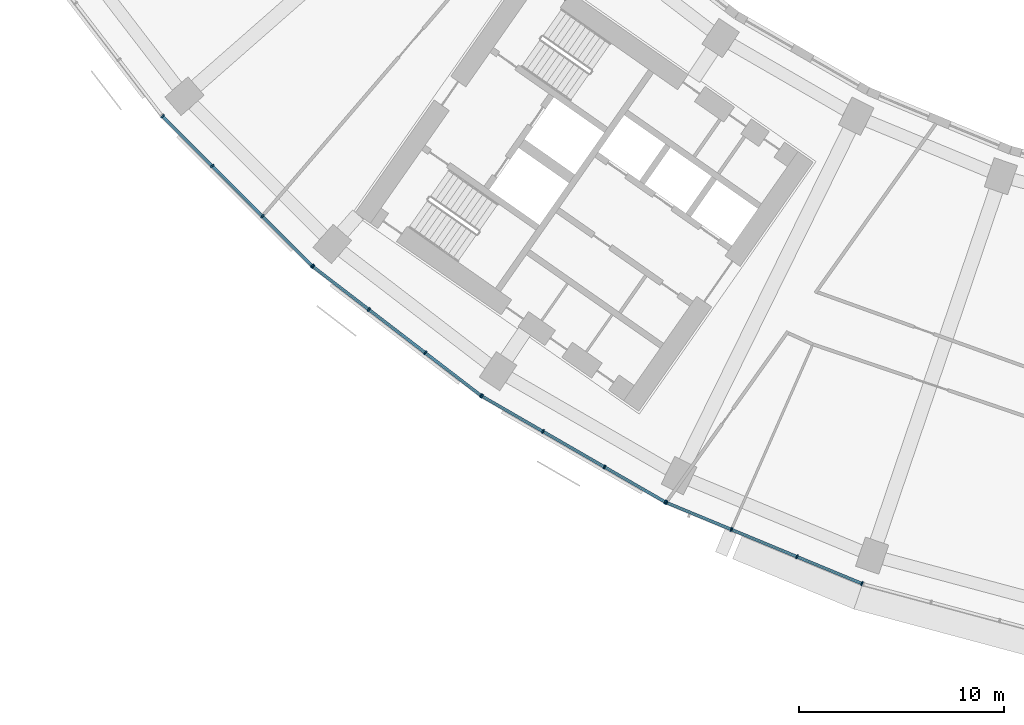
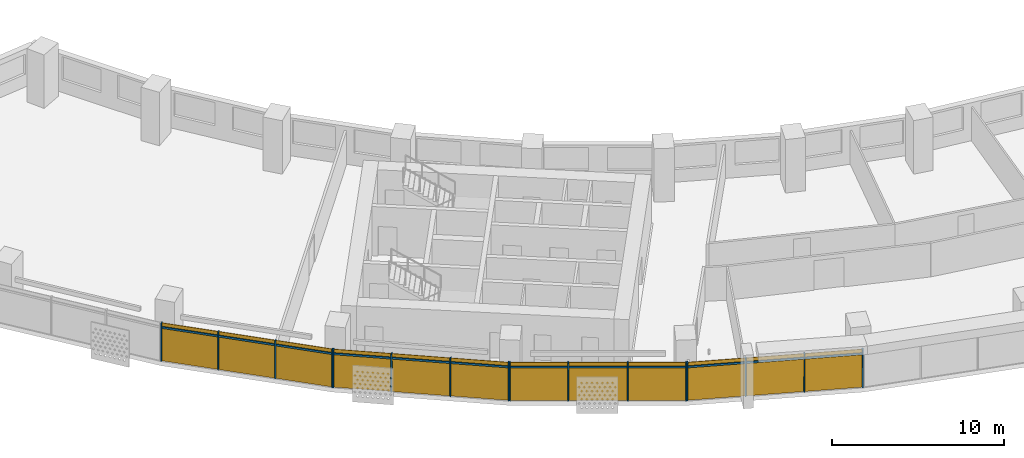
# One storey, part 18 of 29: 28 members, 4 curtain walls.
"""IFC4 building model written with IfcOpenShell, lengths in metres."""

from ifc_helpers import new_model, si_unit, direction, frame, origin, origin_2d, place, context, subcontext, project, spatial, rectangle, extrude, material, material_profile, profile_set, type_object, element, aggregate, save


model = new_model("IFC4")

# Units and contexts
model_context = context("Model", 3, precision=1e-05, world=origin(), true_north=direction((0.0, 1.0)))
body_context = subcontext(model_context, "Body", "Model", "MODEL_VIEW")
ifc_project = project(units=[si_unit("LENGTHUNIT", "METRE"), si_unit("AREAUNIT", "SQUARE_METRE"), si_unit("VOLUMEUNIT", "CUBIC_METRE"), si_unit("PLANEANGLEUNIT", "RADIAN"), si_unit("MASSUNIT", "GRAM", prefix="KILO")], contexts=[model_context])

# Member
ifc_material = material(Name="Aluminium 6063-T6 anodised", Category="aluminium")
ifc_material_profile_1 = material_profile(ifc_material, rectangle(XDim=0.199951171875, YDim=0.070068359375, at=origin_2d()))
ifc_profile_set_1 = profile_set([ifc_material_profile_1], Name="Aluminium 6063-T6 anodised")
member_type_1 = type_object("IfcMemberType", Name="Mullion 70 x 200 aluminium", PredefinedType="MULLION", material=ifc_profile_set_1)
site_placement = place(None, origin())
building_placement = place(site_placement, origin())
storey_placement = place(building_placement, frame((0.0, 0.0, 106.300048828125)))
member_1_placement = place(storey_placement, frame((-59.525390625, -52.240234375, 0.0), z_axis=(0.0, 0.0, 1.0), x_axis=(0.707106781187, 0.707106781187, 0.0)))
member_1 = element("IfcMember", 1, at=member_1_placement, type_object=member_type_1, Name="e-cw1-L23-out03/M00", PredefinedType="MULLION", context=body_context, shape_type="SweptSolid", body=[
    extrude(rectangle(XDim=0.199951171875, YDim=0.070068359375, at=origin_2d()), origin(), (0.0, 0.0, 1.0), 2.699951171875),
])

member_2_placement = place(storey_placement, frame((-57.105224609375, -54.660400390625, 0.0), z_axis=(0.0, 0.0, 1.0), x_axis=(0.707106781187, 0.707106781187, 0.0)))
member_2 = element("IfcMember", 2, at=member_2_placement, type_object=member_type_1, Name="e-cw1-L23-out03/M01", PredefinedType="MULLION", context=body_context, shape_type="SweptSolid", body=[
    extrude(rectangle(XDim=0.199951171875, YDim=0.070068359375, at=origin_2d()), origin(), (0.0, 0.0, 1.0), 2.699951171875),
])

member_3_placement = place(storey_placement, frame((-54.660400390625, -57.105224609375, 0.0), z_axis=(0.0, 0.0, 1.0), x_axis=(0.707106781187, 0.707106781187, 0.0)))
member_3 = element("IfcMember", 3, at=member_3_placement, type_object=member_type_1, Name="e-cw1-L23-out03/M02", PredefinedType="MULLION", context=body_context, shape_type="SweptSolid", body=[
    extrude(rectangle(XDim=0.199951171875, YDim=0.070068359375, at=origin_2d()), origin(), (0.0, 0.0, 1.0), 2.699951171875),
])

member_4_placement = place(storey_placement, frame((-52.240234375, -59.525390625, 0.0), z_axis=(0.0, 0.0, 1.0), x_axis=(0.707106781187, 0.707106781187, 0.0)))
member_4 = element("IfcMember", 4, at=member_4_placement, type_object=member_type_1, Name="e-cw1-L23-out03/M03", PredefinedType="MULLION", context=body_context, shape_type="SweptSolid", body=[
    extrude(rectangle(XDim=0.199951171875, YDim=0.070068359375, at=origin_2d()), origin(), (0.0, 0.0, 1.0), 2.699951171875),
])

member_5_placement = place(storey_placement, frame((-52.197509765625, -59.56298828125, 0.0), z_axis=(0.0, 0.0, 1.0), x_axis=(0.608761429009, 0.793353340291, 0.0)))
member_5 = element("IfcMember", 5, at=member_5_placement, type_object=member_type_1, Name="e-cw1-L23-out04/M00", PredefinedType="MULLION", context=body_context, shape_type="SweptSolid", body=[
    extrude(rectangle(XDim=0.199951171875, YDim=0.070068359375, at=origin_2d()), origin(), (0.0, 0.0, 1.0), 2.699951171875),
])

member_6_placement = place(storey_placement, frame((-49.482177734375, -61.646484375, 0.0), z_axis=(0.0, 0.0, 1.0), x_axis=(0.608761429009, 0.793353340291, 0.0)))
member_6 = element("IfcMember", 6, at=member_6_placement, type_object=member_type_1, Name="e-cw1-L23-out04/M01", PredefinedType="MULLION", context=body_context, shape_type="SweptSolid", body=[
    extrude(rectangle(XDim=0.199951171875, YDim=0.070068359375, at=origin_2d()), origin(), (0.0, 0.0, 1.0), 2.699951171875),
])

member_7_placement = place(storey_placement, frame((-46.739013671875, -63.751220703125, 0.0), z_axis=(0.0, 0.0, 1.0), x_axis=(0.608761429009, 0.793353340291, 0.0)))
member_7 = element("IfcMember", 7, at=member_7_placement, type_object=member_type_1, Name="e-cw1-L23-out04/M02", PredefinedType="MULLION", context=body_context, shape_type="SweptSolid", body=[
    extrude(rectangle(XDim=0.199951171875, YDim=0.070068359375, at=origin_2d()), origin(), (0.0, 0.0, 1.0), 2.699951171875),
])

member_8_placement = place(storey_placement, frame((-44.023681640625, -65.8349609375, 0.0), z_axis=(0.0, 0.0, 1.0), x_axis=(0.608761429009, 0.793353340291, 0.0)))
member_8 = element("IfcMember", 8, at=member_8_placement, type_object=member_type_1, Name="e-cw1-L23-out04/M03", PredefinedType="MULLION", context=body_context, shape_type="SweptSolid", body=[
    extrude(rectangle(XDim=0.199951171875, YDim=0.070068359375, at=origin_2d()), origin(), (0.0, 0.0, 1.0), 2.699951171875),
])

member_9_placement = place(storey_placement, frame((-43.976318359375, -65.866455078125, 0.0), z_axis=(0.0, 0.0, 1.0), x_axis=(0.5, 0.866025403784, 0.0)))
member_9 = element("IfcMember", 9, at=member_9_placement, type_object=member_type_1, Name="e-cw1-L23-out05/M00", PredefinedType="MULLION", context=body_context, shape_type="SweptSolid", body=[
    extrude(rectangle(XDim=0.199951171875, YDim=0.070068359375, at=origin_2d()), origin(), (0.0, 0.0, 1.0), 2.699951171875),
])

member_10_placement = place(storey_placement, frame((-41.01220703125, -67.577880859375, 0.0), z_axis=(0.0, 0.0, 1.0), x_axis=(0.5, 0.866025403784, 0.0)))
member_10 = element("IfcMember", 10, at=member_10_placement, type_object=member_type_1, Name="e-cw1-L23-out05/M01", PredefinedType="MULLION", context=body_context, shape_type="SweptSolid", body=[
    extrude(rectangle(XDim=0.199951171875, YDim=0.070068359375, at=origin_2d()), origin(), (0.0, 0.0, 1.0), 2.699951171875),
])

member_11_placement = place(storey_placement, frame((-38.017822265625, -69.306640625, 0.0), z_axis=(0.0, 0.0, 1.0), x_axis=(0.5, 0.866025403784, 0.0)))
member_11 = element("IfcMember", 11, at=member_11_placement, type_object=member_type_1, Name="e-cw1-L23-out05/M02", PredefinedType="MULLION", context=body_context, shape_type="SweptSolid", body=[
    extrude(rectangle(XDim=0.199951171875, YDim=0.070068359375, at=origin_2d()), origin(), (0.0, 0.0, 1.0), 2.699951171875),
])

member_12_placement = place(storey_placement, frame((-35.0537109375, -71.017822265625, 0.0), z_axis=(0.0, 0.0, 1.0), x_axis=(0.5, 0.866025403784, 0.0)))
member_12 = element("IfcMember", 12, at=member_12_placement, type_object=member_type_1, Name="e-cw1-L23-out05/M03", PredefinedType="MULLION", context=body_context, shape_type="SweptSolid", body=[
    extrude(rectangle(XDim=0.199951171875, YDim=0.070068359375, at=origin_2d()), origin(), (0.0, 0.0, 1.0), 2.699951171875),
])

member_13_placement = place(storey_placement, frame((-35.0029296875, -71.04296875, 0.0), z_axis=(0.0, 0.0, 1.0), x_axis=(0.382683432365, 0.923879532511, 0.0)))
member_13 = element("IfcMember", 13, at=member_13_placement, type_object=member_type_1, Name="e-cw1-L23-out06/M00", PredefinedType="MULLION", context=body_context, shape_type="SweptSolid", body=[
    extrude(rectangle(XDim=0.199951171875, YDim=0.070068359375, at=origin_2d()), origin(), (0.0, 0.0, 1.0), 2.699951171875),
])

member_14_placement = place(storey_placement, frame((-31.8408203125, -72.352783203125, 0.0), z_axis=(0.0, 0.0, 1.0), x_axis=(0.382683432365, 0.923879532511, 0.0)))
member_14 = element("IfcMember", 14, at=member_14_placement, type_object=member_type_1, Name="e-cw1-L23-out06/M01", PredefinedType="MULLION", context=body_context, shape_type="SweptSolid", body=[
    extrude(rectangle(XDim=0.199951171875, YDim=0.070068359375, at=origin_2d()), origin(), (0.0, 0.0, 1.0), 2.699951171875),
])

member_15_placement = place(storey_placement, frame((-28.646240234375, -73.676025390625, 0.0), z_axis=(0.0, 0.0, 1.0), x_axis=(0.382683432365, 0.923879532511, 0.0)))
member_15 = element("IfcMember", 15, at=member_15_placement, type_object=member_type_1, Name="e-cw1-L23-out06/M02", PredefinedType="MULLION", context=body_context, shape_type="SweptSolid", body=[
    extrude(rectangle(XDim=0.199951171875, YDim=0.070068359375, at=origin_2d()), origin(), (0.0, 0.0, 1.0), 2.699951171875),
])

member_16_placement = place(storey_placement, frame((-25.484130859375, -74.98583984375, 0.0), z_axis=(0.0, 0.0, 1.0), x_axis=(0.382683432365, 0.923879532511, 0.0)))
member_16 = element("IfcMember", 16, at=member_16_placement, type_object=member_type_1, Name="e-cw1-L23-out06/M03", PredefinedType="MULLION", context=body_context, shape_type="SweptSolid", body=[
    extrude(rectangle(XDim=0.199951171875, YDim=0.070068359375, at=origin_2d()), origin(), (0.0, 0.0, 1.0), 2.699951171875),
])

ifc_material_profile_2 = material_profile(ifc_material, rectangle(XDim=0.139892578125, YDim=0.1201171875, at=origin_2d()))
ifc_profile_set_2 = profile_set([ifc_material_profile_2], Name="Aluminium 6063-T6 anodised")
member_type_2 = type_object("IfcMemberType", Name="Transom 120 x 140 aluminium", PredefinedType="USERDEFINED", material=ifc_profile_set_2)
member_17_placement = place(storey_placement, frame((-59.500732421875, -52.264892578125, 2.39990234375), z_axis=(0.707106781187, -0.707106781187, 0.0), x_axis=(0.707106781187, 0.707106781187, 0.0)))
member_17 = element("IfcMember", 17, at=member_17_placement, type_object=member_type_2, Name="e-cw1-L23-out03/T00", ObjectType="TRANSOM", PredefinedType="USERDEFINED", context=body_context, shape_type="SweptSolid", body=[
    extrude(rectangle(XDim=0.139892578125, YDim=0.1201171875, at=origin_2d()), origin(), (0.0, 0.0, 1.0), 3.3525390625),
])

member_18_placement = place(storey_placement, frame((-57.08056640625, -54.68505859375, 2.39990234375), z_axis=(0.707106781187, -0.707106781187, 0.0), x_axis=(0.707106781187, 0.707106781187, 0.0)))
member_18 = element("IfcMember", 18, at=member_18_placement, type_object=member_type_2, Name="e-cw1-L23-out03/T01", ObjectType="TRANSOM", PredefinedType="USERDEFINED", context=body_context, shape_type="SweptSolid", body=[
    extrude(rectangle(XDim=0.139892578125, YDim=0.1201171875, at=origin_2d()), origin(), (0.0, 0.0, 1.0), 3.3876953125),
])

member_19_placement = place(storey_placement, frame((-54.635498046875, -57.130126953125, 2.39990234375), z_axis=(0.707106781187, -0.707106781187, 0.0), x_axis=(0.707106781187, 0.707106781187, 0.0)))
member_19 = element("IfcMember", 19, at=member_19_placement, type_object=member_type_2, Name="e-cw1-L23-out03/T02", ObjectType="TRANSOM", PredefinedType="USERDEFINED", context=body_context, shape_type="SweptSolid", body=[
    extrude(rectangle(XDim=0.139892578125, YDim=0.1201171875, at=origin_2d()), origin(), (0.0, 0.0, 1.0), 3.3525390625),
])

member_20_placement = place(storey_placement, frame((-52.169677734375, -59.584228515625, 2.39990234375), z_axis=(0.793354308621, -0.608760167055, 0.0), x_axis=(0.608760167055, 0.793354308621, 0.0)))
member_20 = element("IfcMember", 20, at=member_20_placement, type_object=member_type_2, Name="e-cw1-L23-out04/T00", ObjectType="TRANSOM", PredefinedType="USERDEFINED", context=body_context, shape_type="SweptSolid", body=[
    extrude(rectangle(XDim=0.139892578125, YDim=0.1201171875, at=origin_2d()), origin(), (0.0, 0.0, 1.0), 3.352783203125),
])

member_21_placement = place(storey_placement, frame((-49.454345703125, -61.667724609375, 2.39990234375), z_axis=(0.793344133173, -0.608773427772, 0.0), x_axis=(0.608773427772, 0.793344133173, 0.0)))
member_21 = element("IfcMember", 21, at=member_21_placement, type_object=member_type_2, Name="e-cw1-L23-out04/T01", ObjectType="TRANSOM", PredefinedType="USERDEFINED", context=body_context, shape_type="SweptSolid", body=[
    extrude(rectangle(XDim=0.139892578125, YDim=0.1201171875, at=origin_2d()), origin(), (0.0, 0.0, 1.0), 3.387451171875),
])

member_22_placement = place(storey_placement, frame((-46.711181640625, -63.772705078125, 2.39990234375), z_axis=(0.793389477316, -0.608714331426, 0.0), x_axis=(0.608714331426, 0.793389477316, 0.0)))
member_22 = element("IfcMember", 22, at=member_22_placement, type_object=member_type_2, Name="e-cw1-L23-out04/T02", ObjectType="TRANSOM", PredefinedType="USERDEFINED", context=body_context, shape_type="SweptSolid", body=[
    extrude(rectangle(XDim=0.139892578125, YDim=0.1201171875, at=origin_2d()), origin(), (0.0, 0.0, 1.0), 3.3525390625),
])

member_23_placement = place(storey_placement, frame((-43.946044921875, -65.884033203125, 2.39990234375), z_axis=(0.866020654818, -0.50000822536, 0.0), x_axis=(0.50000822536, 0.866020654818, 0.0)))
member_23 = element("IfcMember", 23, at=member_23_placement, type_object=member_type_2, Name="e-cw1-L23-out05/T00", ObjectType="TRANSOM", PredefinedType="USERDEFINED", context=body_context, shape_type="SweptSolid", body=[
    extrude(rectangle(XDim=0.139892578125, YDim=0.1201171875, at=origin_2d()), origin(), (0.0, 0.0, 1.0), 3.3525390625),
])

member_24_placement = place(storey_placement, frame((-40.98193359375, -67.59521484375, 2.39990234375), z_axis=(0.866025971257, -0.499999017107, 0.0), x_axis=(0.499999017107, 0.866025971257, 0.0)))
member_24 = element("IfcMember", 24, at=member_24_placement, type_object=member_type_2, Name="e-cw1-L23-out05/T01", ObjectType="TRANSOM", PredefinedType="USERDEFINED", context=body_context, shape_type="SweptSolid", body=[
    extrude(rectangle(XDim=0.139892578125, YDim=0.1201171875, at=origin_2d()), origin(), (0.0, 0.0, 1.0), 3.3876953125),
])

member_25_placement = place(storey_placement, frame((-37.987548828125, -69.323974609375, 2.39990234375), z_axis=(0.865989120267, -0.50006283963, 0.0), x_axis=(0.50006283963, 0.865989120267, 0.0)))
member_25 = element("IfcMember", 25, at=member_25_placement, type_object=member_type_2, Name="e-cw1-L23-out05/T02", ObjectType="TRANSOM", PredefinedType="USERDEFINED", context=body_context, shape_type="SweptSolid", body=[
    extrude(rectangle(XDim=0.139892578125, YDim=0.1201171875, at=origin_2d()), origin(), (0.0, 0.0, 1.0), 3.3525390625),
])

member_26_placement = place(storey_placement, frame((-34.970458984375, -71.056396484375, 2.39990234375), z_axis=(0.923882814237, -0.382675509483, 0.0), x_axis=(0.382675509483, 0.923882814237, 0.0)))
member_26 = element("IfcMember", 26, at=member_26_placement, type_object=member_type_2, Name="e-cw1-L23-out06/T00", ObjectType="TRANSOM", PredefinedType="USERDEFINED", context=body_context, shape_type="SweptSolid", body=[
    extrude(rectangle(XDim=0.139892578125, YDim=0.1201171875, at=origin_2d()), origin(), (0.0, 0.0, 1.0), 3.3525390625),
])

member_27_placement = place(storey_placement, frame((-31.808349609375, -72.3662109375, 2.39990234375), z_axis=(0.923874529423, -0.382695510666, 0.0), x_axis=(0.382695510666, 0.923874529423, 0.0)))
member_27 = element("IfcMember", 27, at=member_27_placement, type_object=member_type_2, Name="e-cw1-L23-out06/T01", ObjectType="TRANSOM", PredefinedType="USERDEFINED", context=body_context, shape_type="SweptSolid", body=[
    extrude(rectangle(XDim=0.139892578125, YDim=0.1201171875, at=origin_2d()), origin(), (0.0, 0.0, 1.0), 3.387451171875),
])

member_28_placement = place(storey_placement, frame((-28.614013671875, -73.689453125, 2.39990234375), z_axis=(0.923882814237, -0.382675509483, 0.0), x_axis=(0.382675509483, 0.923882814237, 0.0)))
member_28 = element("IfcMember", 28, at=member_28_placement, type_object=member_type_2, Name="e-cw1-L23-out06/T02", ObjectType="TRANSOM", PredefinedType="USERDEFINED", context=body_context, shape_type="SweptSolid", body=[
    extrude(rectangle(XDim=0.139892578125, YDim=0.1201171875, at=origin_2d()), origin(), (0.0, 0.0, 1.0), 3.3525390625),
])

# Site, building, storey
site = spatial("IfcSite", under=ifc_project, at=site_placement, CompositionType="ELEMENT")
building = spatial("IfcBuilding", under=site, at=building_placement, Name="Qamariyya Broadcast Tower", CompositionType="ELEMENT")
storey = spatial("IfcBuildingStorey", under=building, at=storey_placement, Name="L23", CompositionType="ELEMENT", Elevation=106.300048828125)

# Curtain wall
curtain_wall_type = type_object("IfcCurtainWallType", Name="Unitised curtain wall, anodised aluminium", PredefinedType="NOTDEFINED", material=ifc_material)
curtain_wall_1_placement = place(storey_placement, origin())
curtain_wall_1 = element("IfcCurtainWall", 29, at=curtain_wall_1_placement, inside=storey, type_object=curtain_wall_type, Name="e-cw1-L23-out03", PredefinedType="NOTDEFINED", context=body_context, shape_type="SweptSolid", body=[
    extrude(rectangle(XDim=3.352783203125, YDim=0.031982421875, at=origin_2d()), frame((-58.3154296875, -53.4501953125, 0.0), x_axis=(0.707106781187, -0.707106781187, 0.0)), (0.0, 0.0, 1.0), 2.340087890625),
    extrude(rectangle(XDim=3.352783203125, YDim=0.031982421875, at=origin_2d()), frame((-58.3154296875, -53.4501953125, 2.4599609375), x_axis=(0.707106781187, -0.707106781187, 0.0)), (0.0, 0.0, 1.0), 0.239990234375),
    extrude(rectangle(XDim=3.3876953125, YDim=0.031982421875, at=origin_2d()), frame((-55.8828125, -55.8828125, 0.0), x_axis=(0.707106781187, -0.707106781187, 0.0)), (0.0, 0.0, 1.0), 2.340087890625),
    extrude(rectangle(XDim=3.3876953125, YDim=0.031982421875, at=origin_2d()), frame((-55.8828125, -55.8828125, 2.4599609375), x_axis=(0.707106781187, -0.707106781187, 0.0)), (0.0, 0.0, 1.0), 0.239990234375),
    extrude(rectangle(XDim=3.352783203125, YDim=0.031982421875, at=origin_2d()), frame((-53.4501953125, -58.3154296875, 0.0), x_axis=(0.707106781187, -0.707106781187, 0.0)), (0.0, 0.0, 1.0), 2.340087890625),
    extrude(rectangle(XDim=3.352783203125, YDim=0.031982421875, at=origin_2d()), frame((-53.4501953125, -58.3154296875, 2.4599609375), x_axis=(0.707106781187, -0.707106781187, 0.0)), (0.0, 0.0, 1.0), 0.239990234375),
])

aggregate(curtain_wall_1, [member_1, member_2, member_3, member_4, member_17, member_18, member_19])

curtain_wall_2_placement = place(storey_placement, origin())
curtain_wall_2 = element("IfcCurtainWall", 30, at=curtain_wall_2_placement, inside=storey, type_object=curtain_wall_type, Name="e-cw1-L23-out04", PredefinedType="NOTDEFINED", context=body_context, shape_type="SweptSolid", body=[
    extrude(rectangle(XDim=3.352783203125, YDim=0.031982421875, at=origin_2d()), frame((-50.83984375, -60.6044921875, 0.0), x_axis=(0.793354000839, -0.608760568165, 0.0)), (0.0, 0.0, 1.0), 2.340087890625),
    extrude(rectangle(XDim=3.352783203125, YDim=0.031982421875, at=origin_2d()), frame((-50.83984375, -60.6044921875, 2.4599609375), x_axis=(0.793354000839, -0.608760568165, 0.0)), (0.0, 0.0, 1.0), 0.239990234375),
    extrude(rectangle(XDim=3.3876953125, YDim=0.031982421875, at=origin_2d()), frame((-48.110595703125, -62.69873046875, 0.0), x_axis=(0.793354000839, -0.608760568165, 0.0)), (0.0, 0.0, 1.0), 2.340087890625),
    extrude(rectangle(XDim=3.3876953125, YDim=0.031982421875, at=origin_2d()), frame((-48.110595703125, -62.69873046875, 2.4599609375), x_axis=(0.793354000839, -0.608760568165, 0.0)), (0.0, 0.0, 1.0), 0.239990234375),
    extrude(rectangle(XDim=3.352783203125, YDim=0.031982421875, at=origin_2d()), frame((-45.38134765625, -64.793212890625, 0.0), x_axis=(0.793354000839, -0.608760568165, 0.0)), (0.0, 0.0, 1.0), 2.340087890625),
    extrude(rectangle(XDim=3.352783203125, YDim=0.031982421875, at=origin_2d()), frame((-45.38134765625, -64.793212890625, 2.4599609375), x_axis=(0.793354000839, -0.608760568165, 0.0)), (0.0, 0.0, 1.0), 0.239990234375),
])

aggregate(curtain_wall_2, [member_5, member_6, member_7, member_8, member_20, member_21, member_22])

curtain_wall_3_placement = place(storey_placement, origin())
curtain_wall_3 = element("IfcCurtainWall", 31, at=curtain_wall_3_placement, inside=storey, type_object=curtain_wall_type, Name="e-cw1-L23-out05", PredefinedType="NOTDEFINED", context=body_context, shape_type="SweptSolid", body=[
    extrude(rectangle(XDim=3.352783203125, YDim=0.031982421875, at=origin_2d()), frame((-42.494384765625, -66.72216796875, 0.0), x_axis=(0.866027243369, -0.499996813733, 0.0)), (0.0, 0.0, 1.0), 2.340087890625),
    extrude(rectangle(XDim=3.352783203125, YDim=0.031982421875, at=origin_2d()), frame((-42.494384765625, -66.72216796875, 2.4599609375), x_axis=(0.866027243369, -0.499996813733, 0.0)), (0.0, 0.0, 1.0), 0.239990234375),
    extrude(rectangle(XDim=3.3876953125, YDim=0.031982421875, at=origin_2d()), frame((-39.51513671875, -68.442138671875, 0.0), x_axis=(0.866027243369, -0.499996813733, 0.0)), (0.0, 0.0, 1.0), 2.340087890625),
    extrude(rectangle(XDim=3.3876953125, YDim=0.031982421875, at=origin_2d()), frame((-39.51513671875, -68.442138671875, 2.4599609375), x_axis=(0.866027243369, -0.499996813733, 0.0)), (0.0, 0.0, 1.0), 0.239990234375),
    extrude(rectangle(XDim=3.352783203125, YDim=0.031982421875, at=origin_2d()), frame((-36.535888671875, -70.162109375, 0.0), x_axis=(0.866027243369, -0.499996813733, 0.0)), (0.0, 0.0, 1.0), 2.340087890625),
    extrude(rectangle(XDim=3.352783203125, YDim=0.031982421875, at=origin_2d()), frame((-36.535888671875, -70.162109375, 2.4599609375), x_axis=(0.866027243369, -0.499996813733, 0.0)), (0.0, 0.0, 1.0), 0.239990234375),
])

aggregate(curtain_wall_3, [member_9, member_10, member_11, member_12, member_23, member_24, member_25])

curtain_wall_4_placement = place(storey_placement, origin())
curtain_wall_4 = element("IfcCurtainWall", 32, at=curtain_wall_4_placement, inside=storey, type_object=curtain_wall_type, Name="e-cw1-L23-out06", PredefinedType="NOTDEFINED", context=body_context, shape_type="SweptSolid", body=[
    extrude(rectangle(XDim=3.3525390625, YDim=0.031982421875, at=origin_2d()), frame((-33.421875, -71.69775390625, 0.0), x_axis=(0.923872250857, -0.382701011361, 0.0)), (0.0, 0.0, 1.0), 2.340087890625),
    extrude(rectangle(XDim=3.3525390625, YDim=0.031982421875, at=origin_2d()), frame((-33.421875, -71.69775390625, 2.4599609375), x_axis=(0.923872250857, -0.382701011361, 0.0)), (0.0, 0.0, 1.0), 0.239990234375),
    extrude(rectangle(XDim=3.3876953125, YDim=0.031982421875, at=origin_2d()), frame((-30.24365234375, -73.014404296875, 0.0), x_axis=(0.923872250857, -0.382701011361, 0.0)), (0.0, 0.0, 1.0), 2.340087890625),
    extrude(rectangle(XDim=3.3876953125, YDim=0.031982421875, at=origin_2d()), frame((-30.24365234375, -73.014404296875, 2.4599609375), x_axis=(0.923872250857, -0.382701011361, 0.0)), (0.0, 0.0, 1.0), 0.239990234375),
    extrude(rectangle(XDim=3.3525390625, YDim=0.031982421875, at=origin_2d()), frame((-27.065185546875, -74.3310546875, 0.0), x_axis=(0.923872250857, -0.382701011361, 0.0)), (0.0, 0.0, 1.0), 2.340087890625),
    extrude(rectangle(XDim=3.3525390625, YDim=0.031982421875, at=origin_2d()), frame((-27.065185546875, -74.3310546875, 2.4599609375), x_axis=(0.923872250857, -0.382701011361, 0.0)), (0.0, 0.0, 1.0), 0.239990234375),
])

aggregate(curtain_wall_4, [member_13, member_14, member_15, member_16, member_26, member_27, member_28])

save(model, "model.ifc")
